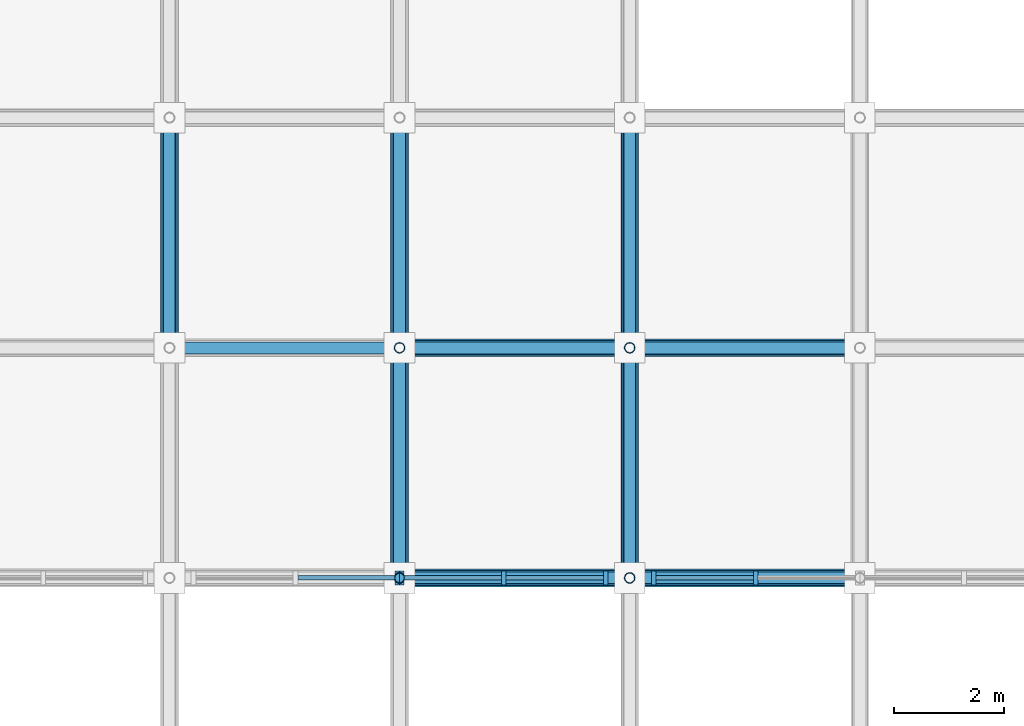
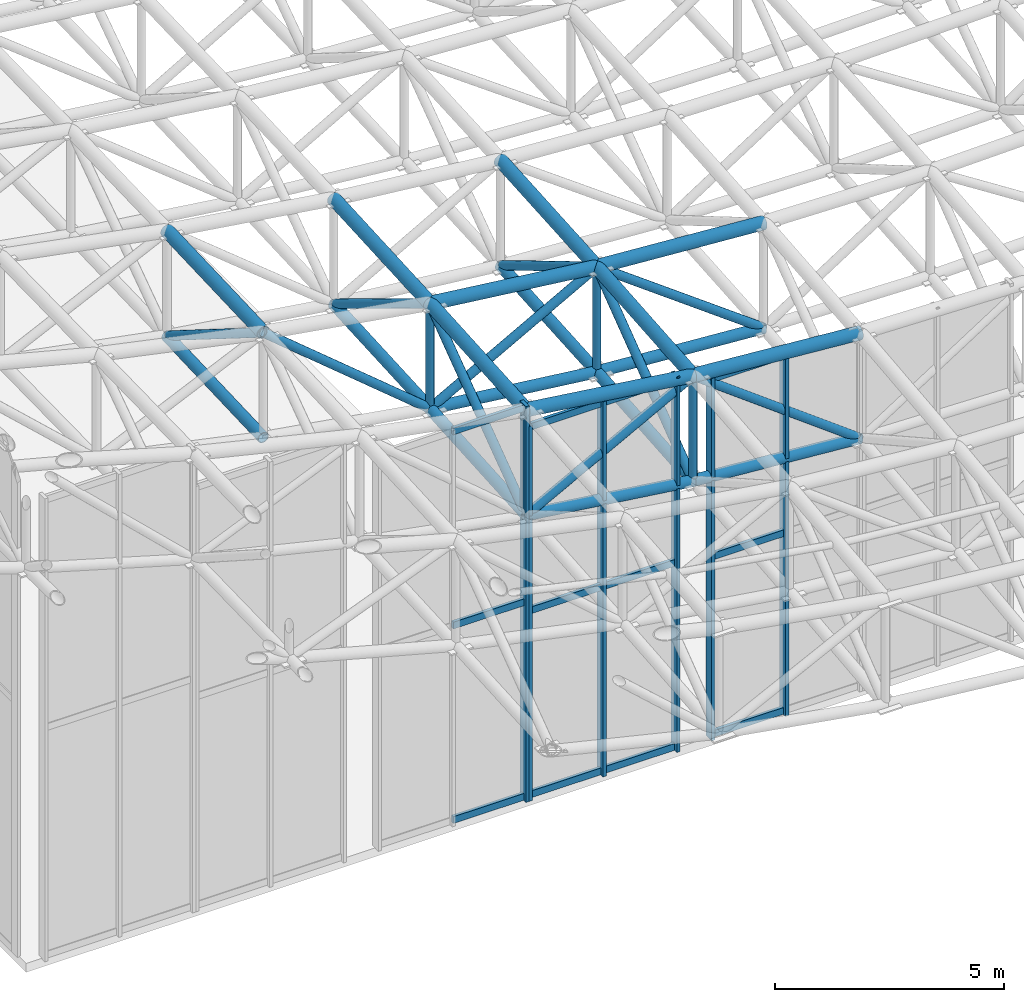
# One storey, part 7 of 93: 50 members, 3 elements without a shape of their own.
"""IFC4 building model written with IfcOpenShell, lengths in metres."""

from ifc_helpers import new_model, si_unit, direction, frame, origin, origin_2d, place, context, subcontext, project, spatial, rectangle, hollow_circle, extrude, material, material_profile, profile_set, type_object, element, aggregate, save


model = new_model("IFC4")

# Units and contexts
model_context = context("Model", 3, precision=1e-05, world=origin(), true_north=direction((0.0, 1.0)))
body_context = subcontext(model_context, "Body", "Model", "MODEL_VIEW")
ifc_project = project(units=[si_unit("LENGTHUNIT", "METRE"), si_unit("AREAUNIT", "SQUARE_METRE"), si_unit("VOLUMEUNIT", "CUBIC_METRE"), si_unit("PLANEANGLEUNIT", "RADIAN"), si_unit("MASSUNIT", "GRAM", prefix="KILO")], contexts=[model_context])

# Site, building, storey
site_placement = place(None, origin())
site = spatial("IfcSite", under=ifc_project, at=site_placement, CompositionType="ELEMENT")
building_placement = place(site_placement, origin())
building = spatial("IfcBuilding", under=site, at=building_placement, Name="Cumbredor Promenade Congress Hotel", CompositionType="ELEMENT")
storey_placement = place(building_placement, frame((0.0, 0.0, 21.840087890625)))
storey = spatial("IfcBuildingStorey", under=building, at=storey_placement, Name="L06", CompositionType="ELEMENT", Elevation=21.840087890625)

# Curtain wall, member
ifc_material_1 = material(Name="Thermally broken anodized aluminium and low-E glass", Category="aluminium")
curtain_wall_type = type_object("IfcCurtainWallType", Name="Stepped Pavilion Clerestory Curtain Wall CW-06", PredefinedType="NOTDEFINED", material=ifc_material_1)
curtain_wall_1_placement = place(storey_placement, origin())
curtain_wall_1 = element("IfcCurtainWall", 1, at=curtain_wall_1_placement, inside=storey, type_object=curtain_wall_type, Name="Plenary Congress Hall S Glazed Clerestory 3", PredefinedType="NOTDEFINED")
ifc_material_2 = material(Name="Thermally broken anodized aluminium", Category="aluminium")
ifc_material_profile_1 = material_profile(ifc_material_2, rectangle(XDim=0.0849609375, YDim=0.260009765625, at=origin_2d()), Name="ALU MULLION CLERESTORY 85x260")
ifc_profile_set_1 = profile_set([ifc_material_profile_1], Name="Thermally broken anodized aluminium")
member_type_1 = type_object("IfcMemberType", Name="Curtain Wall Mullion ML-04", PredefinedType="MULLION", material=ifc_profile_set_1)
member_1_placement = place(storey_placement, frame((20.9599609375, 8.39990234375, -0.01806640625), z_axis=(0.0, 0.0, 1.0), x_axis=(1.0, 0.0, 0.0)))
member_1 = element("IfcMember", 2, at=member_1_placement, type_object=member_type_1, Name="Plenary Congress Hall S Glazed Clerestory 3 Mullion 3", PredefinedType="MULLION", context=body_context, shape_type="SweptSolid", body=[
    extrude(rectangle(XDim=0.0849609375, YDim=0.260009765625, at=origin_2d()), origin(), (0.0, 0.0, 1.0), 10.543701171875),
])

# Curtain wall, members
curtain_wall_2_placement = place(storey_placement, origin())
curtain_wall_2 = element("IfcCurtainWall", 3, at=curtain_wall_2_placement, inside=storey, type_object=curtain_wall_type, Name="Plenary Congress Hall S Glazed Clerestory 4", PredefinedType="NOTDEFINED")
member_2_placement = place(storey_placement, frame((21.0400390625, 8.39990234375, -0.01806640625), z_axis=(0.0, 0.0, 1.0), x_axis=(1.0, 0.0, 0.0)))
member_2 = element("IfcMember", 4, at=member_2_placement, type_object=member_type_1, Name="Plenary Congress Hall S Glazed Clerestory 4 Mullion 1", PredefinedType="MULLION", context=body_context, shape_type="SweptSolid", body=[
    extrude(rectangle(XDim=0.0849609375, YDim=0.260009765625, at=origin_2d()), origin(), (0.0, 0.0, 1.0), 9.986328125),
])
member_3_placement = place(storey_placement, frame((22.89990234375, 8.39990234375, -0.01806640625), z_axis=(0.0, 0.0, 1.0), x_axis=(1.0, 0.0, 0.0)))
member_3 = element("IfcMember", 5, at=member_3_placement, type_object=member_type_1, Name="Plenary Congress Hall S Glazed Clerestory 4 Mullion 2", PredefinedType="MULLION", context=body_context, shape_type="SweptSolid", body=[
    extrude(rectangle(XDim=0.0849609375, YDim=0.260009765625, at=origin_2d()), origin(), (0.0, 0.0, 1.0), 9.986328125),
])
member_4_placement = place(storey_placement, frame((24.760009765625, 8.39990234375, -0.01806640625), z_axis=(0.0, 0.0, 1.0), x_axis=(1.0, 0.0, 0.0)))
member_4 = element("IfcMember", 6, at=member_4_placement, type_object=member_type_1, Name="Plenary Congress Hall S Glazed Clerestory 4 Mullion 3", PredefinedType="MULLION", context=body_context, shape_type="SweptSolid", body=[
    extrude(rectangle(XDim=0.0849609375, YDim=0.260009765625, at=origin_2d()), origin(), (0.0, 0.0, 1.0), 9.986328125),
])

curtain_wall_3_placement = place(storey_placement, origin())
curtain_wall_3 = element("IfcCurtainWall", 7, at=curtain_wall_3_placement, inside=storey, type_object=curtain_wall_type, Name="Plenary Congress Hall S Glazed Clerestory 5", PredefinedType="NOTDEFINED")
member_5_placement = place(storey_placement, frame((25.639892578125, 8.39990234375, -0.01806640625), z_axis=(0.0, 0.0, 1.0), x_axis=(1.0, 0.0, 0.0)))
member_5 = element("IfcMember", 8, at=member_5_placement, type_object=member_type_1, Name="Plenary Congress Hall S Glazed Clerestory 5 Mullion 1", PredefinedType="MULLION", context=body_context, shape_type="SweptSolid", body=[
    extrude(rectangle(XDim=0.0849609375, YDim=0.260009765625, at=origin_2d()), origin(), (0.0, 0.0, 1.0), 9.652099609375),
])
member_6_placement = place(storey_placement, frame((27.5, 8.39990234375, -0.01806640625), z_axis=(0.0, 0.0, 1.0), x_axis=(1.0, 0.0, 0.0)))
member_6 = element("IfcMember", 9, at=member_6_placement, type_object=member_type_1, Name="Plenary Congress Hall S Glazed Clerestory 5 Mullion 2", PredefinedType="MULLION", context=body_context, shape_type="SweptSolid", body=[
    extrude(rectangle(XDim=0.0849609375, YDim=0.260009765625, at=origin_2d()), origin(), (0.0, 0.0, 1.0), 9.652099609375),
])

# Member
ifc_material_profile_2 = material_profile(ifc_material_2, rectangle(XDim=0.080078125, YDim=0.179931640625, at=origin_2d()), Name="ALU TRANSOM 80x180")
ifc_profile_set_2 = profile_set([ifc_material_profile_2], Name="Thermally broken anodized aluminium")
member_type_2 = type_object("IfcMemberType", Name="Curtain Wall Transom TR-03", PredefinedType="USERDEFINED", material=ifc_profile_set_2)
member_7_placement = place(storey_placement, frame((19.142578125, 8.39990234375, 0.079833984375), z_axis=(1.0, 0.0, 0.0), x_axis=(0.0, 1.0, 0.0)))
member_7 = element("IfcMember", 10, at=member_7_placement, type_object=member_type_2, Name="Plenary Congress Hall S Glazed Clerestory 3 Transom 2.1", ObjectType="TRANSOM", PredefinedType="USERDEFINED", context=body_context, shape_type="SweptSolid", body=[
    extrude(rectangle(XDim=0.080078125, YDim=0.179931640625, at=origin_2d()), origin(), (0.0, 0.0, 1.0), 1.77490234375),
])

member_8_placement = place(storey_placement, frame((19.142578125, 8.39990234375, 5.260009765625), z_axis=(1.0, 0.0, 0.0), x_axis=(0.0, 1.0, 0.0)))
member_8 = element("IfcMember", 11, at=member_8_placement, type_object=member_type_2, Name="Plenary Congress Hall S Glazed Clerestory 3 Transom 2.2", ObjectType="TRANSOM", PredefinedType="USERDEFINED", context=body_context, shape_type="SweptSolid", body=[
    extrude(rectangle(XDim=0.080078125, YDim=0.179931640625, at=origin_2d()), origin(), (0.0, 0.0, 1.0), 1.77490234375),
])

member_9_placement = place(storey_placement, frame((19.142578125, 8.39990234375, 10.429931640625), z_axis=(1.0, 0.0, 0.0), x_axis=(0.0, 1.0, 0.0)))
member_9 = element("IfcMember", 12, at=member_9_placement, type_object=member_type_2, Name="Plenary Congress Hall S Glazed Clerestory 3 Transom 2.3", ObjectType="TRANSOM", PredefinedType="USERDEFINED", context=body_context, shape_type="SweptSolid", body=[
    extrude(rectangle(XDim=0.080078125, YDim=0.179931640625, at=origin_2d()), origin(), (0.0, 0.0, 1.0), 1.77490234375),
])

aggregate(curtain_wall_1, [member_1, member_7, member_8, member_9])

member_10_placement = place(storey_placement, frame((21.08251953125, 8.39990234375, 0.079833984375), z_axis=(1.0, 0.0, 0.0), x_axis=(0.0, 1.0, 0.0)))
member_10 = element("IfcMember", 13, at=member_10_placement, type_object=member_type_2, Name="Plenary Congress Hall S Glazed Clerestory 4 Transom 1.1", ObjectType="TRANSOM", PredefinedType="USERDEFINED", context=body_context, shape_type="SweptSolid", body=[
    extrude(rectangle(XDim=0.080078125, YDim=0.179931640625, at=origin_2d()), origin(), (0.0, 0.0, 1.0), 1.77490234375),
])

member_11_placement = place(storey_placement, frame((21.08251953125, 8.39990234375, 4.97998046875), z_axis=(1.0, 0.0, 0.0), x_axis=(0.0, 1.0, 0.0)))
member_11 = element("IfcMember", 14, at=member_11_placement, type_object=member_type_2, Name="Plenary Congress Hall S Glazed Clerestory 4 Transom 1.2", ObjectType="TRANSOM", PredefinedType="USERDEFINED", context=body_context, shape_type="SweptSolid", body=[
    extrude(rectangle(XDim=0.080078125, YDim=0.179931640625, at=origin_2d()), origin(), (0.0, 0.0, 1.0), 1.77490234375),
])

member_12_placement = place(storey_placement, frame((21.08251953125, 8.39990234375, 9.869873046875), z_axis=(1.0, 0.0, 0.0), x_axis=(0.0, 1.0, 0.0)))
member_12 = element("IfcMember", 15, at=member_12_placement, type_object=member_type_2, Name="Plenary Congress Hall S Glazed Clerestory 4 Transom 1.3", ObjectType="TRANSOM", PredefinedType="USERDEFINED", context=body_context, shape_type="SweptSolid", body=[
    extrude(rectangle(XDim=0.080078125, YDim=0.179931640625, at=origin_2d()), origin(), (0.0, 0.0, 1.0), 1.77490234375),
])

member_13_placement = place(storey_placement, frame((22.9423828125, 8.39990234375, 0.079833984375), z_axis=(1.0, 0.0, 0.0), x_axis=(0.0, 1.0, 0.0)))
member_13 = element("IfcMember", 16, at=member_13_placement, type_object=member_type_2, Name="Plenary Congress Hall S Glazed Clerestory 4 Transom 2.1", ObjectType="TRANSOM", PredefinedType="USERDEFINED", context=body_context, shape_type="SweptSolid", body=[
    extrude(rectangle(XDim=0.080078125, YDim=0.179931640625, at=origin_2d()), origin(), (0.0, 0.0, 1.0), 1.775146484375),
])

member_14_placement = place(storey_placement, frame((22.9423828125, 8.39990234375, 4.97998046875), z_axis=(1.0, 0.0, 0.0), x_axis=(0.0, 1.0, 0.0)))
member_14 = element("IfcMember", 17, at=member_14_placement, type_object=member_type_2, Name="Plenary Congress Hall S Glazed Clerestory 4 Transom 2.2", ObjectType="TRANSOM", PredefinedType="USERDEFINED", context=body_context, shape_type="SweptSolid", body=[
    extrude(rectangle(XDim=0.080078125, YDim=0.179931640625, at=origin_2d()), origin(), (0.0, 0.0, 1.0), 1.775146484375),
])

member_15_placement = place(storey_placement, frame((22.9423828125, 8.39990234375, 9.869873046875), z_axis=(1.0, 0.0, 0.0), x_axis=(0.0, 1.0, 0.0)))
member_15 = element("IfcMember", 18, at=member_15_placement, type_object=member_type_2, Name="Plenary Congress Hall S Glazed Clerestory 4 Transom 2.3", ObjectType="TRANSOM", PredefinedType="USERDEFINED", context=body_context, shape_type="SweptSolid", body=[
    extrude(rectangle(XDim=0.080078125, YDim=0.179931640625, at=origin_2d()), origin(), (0.0, 0.0, 1.0), 1.775146484375),
])

aggregate(curtain_wall_2, [member_2, member_3, member_4, member_10, member_11, member_12, member_13, member_14, member_15])

member_16_placement = place(storey_placement, frame((25.6826171875, 8.39990234375, 0.079833984375), z_axis=(1.0, 0.0, 0.0), x_axis=(0.0, 1.0, 0.0)))
member_16 = element("IfcMember", 19, at=member_16_placement, type_object=member_type_2, Name="Plenary Congress Hall S Glazed Clerestory 5 Transom 1.1", ObjectType="TRANSOM", PredefinedType="USERDEFINED", context=body_context, shape_type="SweptSolid", body=[
    extrude(rectangle(XDim=0.080078125, YDim=0.179931640625, at=origin_2d()), origin(), (0.0, 0.0, 1.0), 1.77490234375),
])

member_17_placement = place(storey_placement, frame((25.6826171875, 8.39990234375, 4.809814453125), z_axis=(1.0, 0.0, 0.0), x_axis=(0.0, 1.0, 0.0)))
member_17 = element("IfcMember", 20, at=member_17_placement, type_object=member_type_2, Name="Plenary Congress Hall S Glazed Clerestory 5 Transom 1.2", ObjectType="TRANSOM", PredefinedType="USERDEFINED", context=body_context, shape_type="SweptSolid", body=[
    extrude(rectangle(XDim=0.080078125, YDim=0.179931640625, at=origin_2d()), origin(), (0.0, 0.0, 1.0), 1.77490234375),
])

member_18_placement = place(storey_placement, frame((25.6826171875, 8.39990234375, 9.539794921875), z_axis=(1.0, 0.0, 0.0), x_axis=(0.0, 1.0, 0.0)))
member_18 = element("IfcMember", 21, at=member_18_placement, type_object=member_type_2, Name="Plenary Congress Hall S Glazed Clerestory 5 Transom 1.3", ObjectType="TRANSOM", PredefinedType="USERDEFINED", context=body_context, shape_type="SweptSolid", body=[
    extrude(rectangle(XDim=0.080078125, YDim=0.179931640625, at=origin_2d()), origin(), (0.0, 0.0, 1.0), 1.77490234375),
])

aggregate(curtain_wall_3, [member_5, member_6, member_16, member_17, member_18])

# Members
ifc_material_3 = material(Name="Steel ASTM A500 Grade C", Category="steel")
ifc_material_profile_3 = material_profile(ifc_material_3, hollow_circle(Radius=0.136474609375, WallThickness=0.01611328125, at=origin_2d()), Name="CHS 273.0x16")
ifc_profile_set_3 = profile_set([ifc_material_profile_3], Name="Steel ASTM A500 Grade C")
member_type_3 = type_object("IfcMemberType", Name="Plenary Roof Space Frame Bottom Chord", PredefinedType="CHORD", material=ifc_profile_set_3)
member_19_placement = place(storey_placement, frame((21.0, 8.39990234375, 7.53759765625), z_axis=(0.991308740539, 0.0, -0.131555999224), x_axis=(0.0, 1.0, 0.0)))
element("IfcMember", 22, at=member_19_placement, inside=storey, type_object=member_type_3, Name="Plenary Congress Hall X Bottom Chord 7.3", PredefinedType="CHORD", context=body_context, shape_type="SweptSolid", body=[
    extrude(hollow_circle(Radius=0.136474609375, WallThickness=0.01611328125, at=origin_2d()), origin(), (0.0, 0.0, 1.0), 4.23681640625),
])
member_20_placement = place(storey_placement, frame((25.199951171875, 8.39990234375, 6.980224609375), z_axis=(0.996848540379, 0.0, -0.079328352716), x_axis=(0.0, 1.0, 0.0)))
element("IfcMember", 23, at=member_20_placement, inside=storey, type_object=member_type_3, Name="Plenary Congress Hall X Bottom Chord 8.3", PredefinedType="CHORD", context=body_context, shape_type="SweptSolid", body=[
    extrude(hollow_circle(Radius=0.136474609375, WallThickness=0.01611328125, at=origin_2d()), origin(), (0.0, 0.0, 1.0), 4.213134765625),
])
member_21_placement = place(storey_placement, frame((21.0, 12.60009765625, 7.8251953125), z_axis=(0.993116278673, 0.0, -0.117132647179), x_axis=(0.0, 1.0, 0.0)))
element("IfcMember", 24, at=member_21_placement, inside=storey, type_object=member_type_3, Name="Plenary Congress Hall X Bottom Chord 7.4", PredefinedType="CHORD", context=body_context, shape_type="SweptSolid", body=[
    extrude(hollow_circle(Radius=0.136474609375, WallThickness=0.01611328125, at=origin_2d()), origin(), (0.0, 0.0, 1.0), 4.22900390625),
])
member_22_placement = place(storey_placement, frame((25.199951171875, 12.60009765625, 7.329833984375), z_axis=(0.997507033779, 0.0, -0.070567113882), x_axis=(0.0, 1.0, 0.0)))
element("IfcMember", 25, at=member_22_placement, inside=storey, type_object=member_type_3, Name="Plenary Congress Hall X Bottom Chord 8.4", PredefinedType="CHORD", context=body_context, shape_type="SweptSolid", body=[
    extrude(hollow_circle(Radius=0.136474609375, WallThickness=0.01611328125, at=origin_2d()), origin(), (0.0, 0.0, 1.0), 4.21044921875),
])
member_23_placement = place(storey_placement, frame((16.800048828125, 12.60009765625, 8.5185546875), z_axis=(0.0, 0.999210487027, 0.039729115452), x_axis=(-1.0, 0.0, 0.0)))
element("IfcMember", 26, at=member_23_placement, inside=storey, type_object=member_type_3, Name="Plenary Congress Hall Y Bottom Chord 6.4", PredefinedType="CHORD", context=body_context, shape_type="SweptSolid", body=[
    extrude(hollow_circle(Radius=0.136474609375, WallThickness=0.01611328125, at=origin_2d()), origin(), (0.0, 0.0, 1.0), 4.203369140625),
])
member_24_placement = place(storey_placement, frame((21.0, 8.39990234375, 7.53759765625), z_axis=(0.0, 0.997663973017, 0.068312494781), x_axis=(-1.0, 0.0, 0.0)))
element("IfcMember", 27, at=member_24_placement, inside=storey, type_object=member_type_3, Name="Plenary Congress Hall Y Bottom Chord 7.3", PredefinedType="CHORD", context=body_context, shape_type="SweptSolid", body=[
    extrude(hollow_circle(Radius=0.136474609375, WallThickness=0.01611328125, at=origin_2d()), origin(), (0.0, 0.0, 1.0), 4.2099609375),
])
member_25_placement = place(storey_placement, frame((21.0, 12.60009765625, 7.8251953125), z_axis=(0.0, 0.998378032968, 0.056932444942), x_axis=(-1.0, 0.0, 0.0)))
element("IfcMember", 28, at=member_25_placement, inside=storey, type_object=member_type_3, Name="Plenary Congress Hall Y Bottom Chord 7.4", PredefinedType="CHORD", context=body_context, shape_type="SweptSolid", body=[
    extrude(hollow_circle(Radius=0.136474609375, WallThickness=0.01611328125, at=origin_2d()), origin(), (0.0, 0.0, 1.0), 4.206787109375),
])
member_26_placement = place(storey_placement, frame((25.199951171875, 8.39990234375, 6.980224609375), z_axis=(0.0, 0.996553743384, 0.082949602449), x_axis=(-1.0, 0.0, 0.0)))
element("IfcMember", 29, at=member_26_placement, inside=storey, type_object=member_type_3, Name="Plenary Congress Hall Y Bottom Chord 8.3", PredefinedType="CHORD", context=body_context, shape_type="SweptSolid", body=[
    extrude(hollow_circle(Radius=0.136474609375, WallThickness=0.01611328125, at=origin_2d()), origin(), (0.0, 0.0, 1.0), 4.214599609375),
])
member_27_placement = place(storey_placement, frame((25.199951171875, 12.60009765625, 7.329833984375), z_axis=(0.0, 0.997604040351, 0.069182213575), x_axis=(-1.0, 0.0, 0.0)))
element("IfcMember", 30, at=member_27_placement, inside=storey, type_object=member_type_3, Name="Plenary Congress Hall Y Bottom Chord 8.4", PredefinedType="CHORD", context=body_context, shape_type="SweptSolid", body=[
    extrude(hollow_circle(Radius=0.136474609375, WallThickness=0.01611328125, at=origin_2d()), origin(), (0.0, 0.0, 1.0), 4.2099609375),
])
ifc_material_profile_4 = material_profile(ifc_material_3, hollow_circle(Radius=0.161865234375, WallThickness=0.01611328125, at=origin_2d()), Name="CHS 323.9x16")
ifc_profile_set_4 = profile_set([ifc_material_profile_4], Name="Steel ASTM A500 Grade C")
member_type_4 = type_object("IfcMemberType", Name="Plenary Roof Space Frame Top Chord", PredefinedType="CHORD", material=ifc_profile_set_4)
member_28_placement = place(storey_placement, frame((21.0, 8.39990234375, 10.337646484375), z_axis=(0.991308740539, 0.0, -0.131555999224), x_axis=(0.0, 1.0, 0.0)))
element("IfcMember", 31, at=member_28_placement, inside=storey, type_object=member_type_4, Name="Plenary Congress Hall X Top Chord 7.3", PredefinedType="CHORD", context=body_context, shape_type="SweptSolid", body=[
    extrude(hollow_circle(Radius=0.161865234375, WallThickness=0.01611328125, at=origin_2d()), origin(), (0.0, 0.0, 1.0), 4.23681640625),
])
member_29_placement = place(storey_placement, frame((25.199951171875, 8.39990234375, 9.7802734375), z_axis=(0.996848540379, 0.0, -0.079328352716), x_axis=(0.0, 1.0, 0.0)))
element("IfcMember", 32, at=member_29_placement, inside=storey, type_object=member_type_4, Name="Plenary Congress Hall X Top Chord 8.3", PredefinedType="CHORD", context=body_context, shape_type="SweptSolid", body=[
    extrude(hollow_circle(Radius=0.161865234375, WallThickness=0.01611328125, at=origin_2d()), origin(), (0.0, 0.0, 1.0), 4.213134765625),
])
member_30_placement = place(storey_placement, frame((21.0, 12.60009765625, 10.625), z_axis=(0.993122992518, 0.0, -0.117075709401), x_axis=(0.0, 1.0, 0.0)))
element("IfcMember", 33, at=member_30_placement, inside=storey, type_object=member_type_4, Name="Plenary Congress Hall X Top Chord 7.4", PredefinedType="CHORD", context=body_context, shape_type="SweptSolid", body=[
    extrude(hollow_circle(Radius=0.161865234375, WallThickness=0.01611328125, at=origin_2d()), origin(), (0.0, 0.0, 1.0), 4.22900390625),
])
member_31_placement = place(storey_placement, frame((25.199951171875, 12.60009765625, 10.1298828125), z_axis=(0.997507033779, 0.0, -0.070567113882), x_axis=(0.0, 1.0, 0.0)))
element("IfcMember", 34, at=member_31_placement, inside=storey, type_object=member_type_4, Name="Plenary Congress Hall X Top Chord 8.4", PredefinedType="CHORD", context=body_context, shape_type="SweptSolid", body=[
    extrude(hollow_circle(Radius=0.161865234375, WallThickness=0.01611328125, at=origin_2d()), origin(), (0.0, 0.0, 1.0), 4.21044921875),
])
member_32_placement = place(storey_placement, frame((16.800048828125, 12.60009765625, 11.318603515625), z_axis=(0.0, 0.999210487027, 0.039729115452), x_axis=(-1.0, 0.0, 0.0)))
element("IfcMember", 35, at=member_32_placement, inside=storey, type_object=member_type_4, Name="Plenary Congress Hall Y Top Chord 6.4", PredefinedType="CHORD", context=body_context, shape_type="SweptSolid", body=[
    extrude(hollow_circle(Radius=0.161865234375, WallThickness=0.01611328125, at=origin_2d()), origin(), (0.0, 0.0, 1.0), 4.203369140625),
])
member_33_placement = place(storey_placement, frame((21.0, 8.39990234375, 10.337646484375), z_axis=(0.0, 0.997667923567, 0.068254774822), x_axis=(-1.0, 0.0, 0.0)))
element("IfcMember", 36, at=member_33_placement, inside=storey, type_object=member_type_4, Name="Plenary Congress Hall Y Top Chord 7.3", PredefinedType="CHORD", context=body_context, shape_type="SweptSolid", body=[
    extrude(hollow_circle(Radius=0.161865234375, WallThickness=0.01611328125, at=origin_2d()), origin(), (0.0, 0.0, 1.0), 4.2099609375),
])
member_34_placement = place(storey_placement, frame((21.0, 12.60009765625, 10.625), z_axis=(0.0, 0.998378032968, 0.056932444942), x_axis=(-1.0, 0.0, 0.0)))
element("IfcMember", 37, at=member_34_placement, inside=storey, type_object=member_type_4, Name="Plenary Congress Hall Y Top Chord 7.4", PredefinedType="CHORD", context=body_context, shape_type="SweptSolid", body=[
    extrude(hollow_circle(Radius=0.161865234375, WallThickness=0.01611328125, at=origin_2d()), origin(), (0.0, 0.0, 1.0), 4.206787109375),
])
member_35_placement = place(storey_placement, frame((25.199951171875, 8.39990234375, 9.7802734375), z_axis=(0.0, 0.996553743384, 0.082949602449), x_axis=(-1.0, 0.0, 0.0)))
element("IfcMember", 38, at=member_35_placement, inside=storey, type_object=member_type_4, Name="Plenary Congress Hall Y Top Chord 8.3", PredefinedType="CHORD", context=body_context, shape_type="SweptSolid", body=[
    extrude(hollow_circle(Radius=0.161865234375, WallThickness=0.01611328125, at=origin_2d()), origin(), (0.0, 0.0, 1.0), 4.214599609375),
])
member_36_placement = place(storey_placement, frame((25.199951171875, 12.60009765625, 10.1298828125), z_axis=(0.0, 0.997604040351, 0.069182213575), x_axis=(-1.0, 0.0, 0.0)))
element("IfcMember", 39, at=member_36_placement, inside=storey, type_object=member_type_4, Name="Plenary Congress Hall Y Top Chord 8.4", PredefinedType="CHORD", context=body_context, shape_type="SweptSolid", body=[
    extrude(hollow_circle(Radius=0.161865234375, WallThickness=0.01611328125, at=origin_2d()), origin(), (0.0, 0.0, 1.0), 4.2099609375),
])
ifc_material_profile_5 = material_profile(ifc_material_3, hollow_circle(Radius=0.109619140625, WallThickness=0.012451171875, at=origin_2d()), Name="CHS 219.1x12.5")
ifc_profile_set_5 = profile_set([ifc_material_profile_5], Name="Steel ASTM A500 Grade C")
member_type_5 = type_object("IfcMemberType", Name="Space Frame Web Diagonal D1", PredefinedType="BRACE", material=ifc_profile_set_5)
member_37_placement = place(storey_placement, frame((21.0, 8.39990234375, 7.53759765625), z_axis=(0.882117205046, 0.0, 0.471029974165), x_axis=(0.0, 1.0, 0.0)))
element("IfcMember", 40, at=member_37_placement, inside=storey, type_object=member_type_5, Name="Plenary Congress Hall X Web Diagonal 7.3", PredefinedType="BRACE", context=body_context, shape_type="SweptSolid", body=[
    extrude(hollow_circle(Radius=0.109619140625, WallThickness=0.012451171875, at=origin_2d()), origin(), (0.0, 0.0, 1.0), 4.76123046875),
])
member_38_placement = place(storey_placement, frame((25.199951171875, 8.39990234375, 9.7802734375), z_axis=(0.801434446423, 0.0, -0.598082626471), x_axis=(0.0, 1.0, 0.0)))
element("IfcMember", 41, at=member_38_placement, inside=storey, type_object=member_type_5, Name="Plenary Congress Hall X Web Diagonal 8.3", PredefinedType="BRACE", context=body_context, shape_type="SweptSolid", body=[
    extrude(hollow_circle(Radius=0.109619140625, WallThickness=0.012451171875, at=origin_2d()), origin(), (0.0, 0.0, 1.0), 5.240478515625),
])
member_39_placement = place(storey_placement, frame((16.800048828125, 12.60009765625, 11.318603515625), z_axis=(0.768810721716, 0.0, -0.639476406269), x_axis=(0.0, 1.0, 0.0)))
element("IfcMember", 42, at=member_39_placement, inside=storey, type_object=member_type_5, Name="Plenary Congress Hall X Web Diagonal 6.4", PredefinedType="BRACE", context=body_context, shape_type="SweptSolid", body=[
    extrude(hollow_circle(Radius=0.109619140625, WallThickness=0.012451171875, at=origin_2d()), origin(), (0.0, 0.0, 1.0), 5.462890625),
])
member_40_placement = place(storey_placement, frame((21.0, 12.60009765625, 7.8251953125), z_axis=(0.876681386085, 0.0, 0.481071457574), x_axis=(0.0, 1.0, 0.0)))
element("IfcMember", 43, at=member_40_placement, inside=storey, type_object=member_type_5, Name="Plenary Congress Hall X Web Diagonal 7.4", PredefinedType="BRACE", context=body_context, shape_type="SweptSolid", body=[
    extrude(hollow_circle(Radius=0.109619140625, WallThickness=0.012451171875, at=origin_2d()), origin(), (0.0, 0.0, 1.0), 4.790771484375),
])
member_41_placement = place(storey_placement, frame((25.199951171875, 12.60009765625, 10.1298828125), z_axis=(0.804830004985, 0.0, -0.593505402735), x_axis=(0.0, 1.0, 0.0)))
element("IfcMember", 44, at=member_41_placement, inside=storey, type_object=member_type_5, Name="Plenary Congress Hall X Web Diagonal 8.4", PredefinedType="BRACE", context=body_context, shape_type="SweptSolid", body=[
    extrude(hollow_circle(Radius=0.109619140625, WallThickness=0.012451171875, at=origin_2d()), origin(), (0.0, 0.0, 1.0), 5.218505859375),
])
member_42_placement = place(storey_placement, frame((16.800048828125, 12.60009765625, 11.318603515625), z_axis=(0.0, 0.847264261909, -0.531171601737), x_axis=(-1.0, 0.0, 0.0)))
element("IfcMember", 45, at=member_42_placement, inside=storey, type_object=member_type_5, Name="Plenary Congress Hall Y Web Diagonal 6.4", PredefinedType="BRACE", context=body_context, shape_type="SweptSolid", body=[
    extrude(hollow_circle(Radius=0.109619140625, WallThickness=0.012451171875, at=origin_2d()), origin(), (0.0, 0.0, 1.0), 4.95703125),
])
member_43_placement = place(storey_placement, frame((21.0, 8.39990234375, 7.53759765625), z_axis=(0.0, 0.805740412365, 0.592268847638), x_axis=(-1.0, 0.0, 0.0)))
element("IfcMember", 46, at=member_43_placement, inside=storey, type_object=member_type_5, Name="Plenary Congress Hall Y Web Diagonal 7.3", PredefinedType="BRACE", context=body_context, shape_type="SweptSolid", body=[
    extrude(hollow_circle(Radius=0.109619140625, WallThickness=0.012451171875, at=origin_2d()), origin(), (0.0, 0.0, 1.0), 5.212890625),
])
member_44_placement = place(storey_placement, frame((21.0, 12.60009765625, 10.625), z_axis=(0.0, 0.853854284911, -0.520512113345), x_axis=(-1.0, 0.0, 0.0)))
element("IfcMember", 47, at=member_44_placement, inside=storey, type_object=member_type_5, Name="Plenary Congress Hall Y Web Diagonal 7.4", PredefinedType="BRACE", context=body_context, shape_type="SweptSolid", body=[
    extrude(hollow_circle(Radius=0.109619140625, WallThickness=0.012451171875, at=origin_2d()), origin(), (0.0, 0.0, 1.0), 4.918701171875),
])
member_45_placement = place(storey_placement, frame((25.199951171875, 8.39990234375, 6.980224609375), z_axis=(0.0, 0.800044641058, 0.599940473976), x_axis=(-1.0, 0.0, 0.0)))
element("IfcMember", 48, at=member_45_placement, inside=storey, type_object=member_type_5, Name="Plenary Congress Hall Y Web Diagonal 8.3", PredefinedType="BRACE", context=body_context, shape_type="SweptSolid", body=[
    extrude(hollow_circle(Radius=0.109619140625, WallThickness=0.012451171875, at=origin_2d()), origin(), (0.0, 0.0, 1.0), 5.25),
])
member_46_placement = place(storey_placement, frame((25.199951171875, 12.60009765625, 10.1298828125), z_axis=(0.0, 0.858499634493, -0.512814174507), x_axis=(-1.0, 0.0, 0.0)))
element("IfcMember", 49, at=member_46_placement, inside=storey, type_object=member_type_5, Name="Plenary Congress Hall Y Web Diagonal 8.4", PredefinedType="BRACE", context=body_context, shape_type="SweptSolid", body=[
    extrude(hollow_circle(Radius=0.109619140625, WallThickness=0.012451171875, at=origin_2d()), origin(), (0.0, 0.0, 1.0), 4.89208984375),
])
ifc_material_profile_6 = material_profile(ifc_material_3, hollow_circle(Radius=0.096923828125, WallThickness=0.010009765625, at=origin_2d()), Name="CHS 193.7x10")
ifc_profile_set_6 = profile_set([ifc_material_profile_6], Name="Steel ASTM A500 Grade C")
member_type_6 = type_object("IfcMemberType", Name="Space Frame Web Post P1", PredefinedType="BRACE", material=ifc_profile_set_6)
member_47_placement = place(storey_placement, frame((21.0, 8.39990234375, 7.53759765625), z_axis=(0.0, 0.0, 1.0), x_axis=(1.0, 0.0, 0.0)))
element("IfcMember", 50, at=member_47_placement, inside=storey, type_object=member_type_6, Name="Plenary Congress Hall Space Frame Web Post 7.3", PredefinedType="BRACE", context=body_context, shape_type="SweptSolid", body=[
    extrude(hollow_circle(Radius=0.096923828125, WallThickness=0.010009765625, at=origin_2d()), origin(), (0.0, 0.0, 1.0), 2.800048828125),
])
member_48_placement = place(storey_placement, frame((21.0, 12.60009765625, 7.8251953125), z_axis=(0.0, 0.0, 1.0), x_axis=(1.0, 0.0, 0.0)))
element("IfcMember", 51, at=member_48_placement, inside=storey, type_object=member_type_6, Name="Plenary Congress Hall Space Frame Web Post 7.4", PredefinedType="BRACE", context=body_context, shape_type="SweptSolid", body=[
    extrude(hollow_circle(Radius=0.096923828125, WallThickness=0.010009765625, at=origin_2d()), origin(), (0.0, 0.0, 1.0), 2.7998046875),
])
for number, where, z_axis, x_axis, name in (
    (52, (25.199951171875, 8.39990234375, 6.980224609375), (0.0, 0.0, 1.0), (1.0, 0.0, 0.0), "Plenary Congress Hall Space Frame Web Post 8.3"),
    (53, (25.199951171875, 12.60009765625, 7.329833984375), (0.0, 0.0, 1.0), (1.0, 0.0, 0.0), "Plenary Congress Hall Space Frame Web Post 8.4"),
):
    element("IfcMember", number, at=place(storey_placement, frame(where, z_axis=z_axis, x_axis=x_axis)), inside=storey, type_object=member_type_6, Name=name, PredefinedType="BRACE", context=body_context, shape_type="SweptSolid", body=[
        extrude(hollow_circle(Radius=0.096923828125, WallThickness=0.010009765625, at=origin_2d()), origin(), (0.0, 0.0, 1.0), 2.800048828125),
    ])

save(model, "model.ifc")
